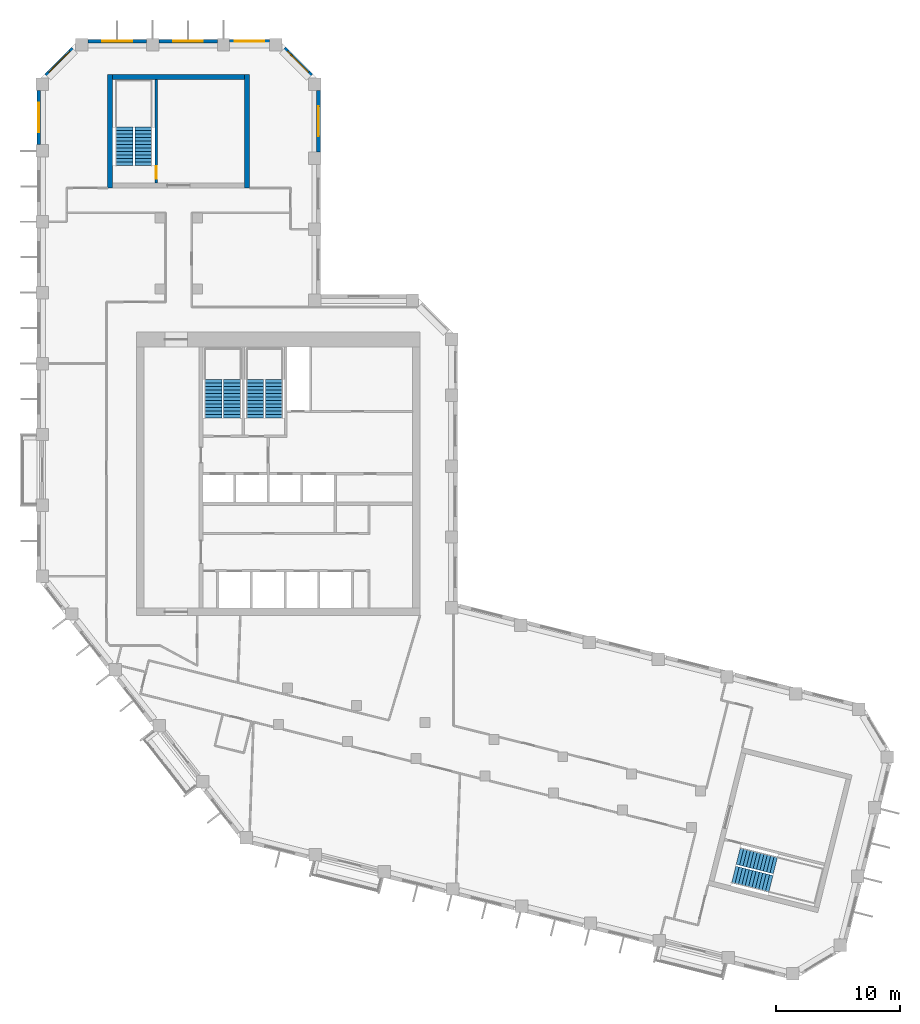
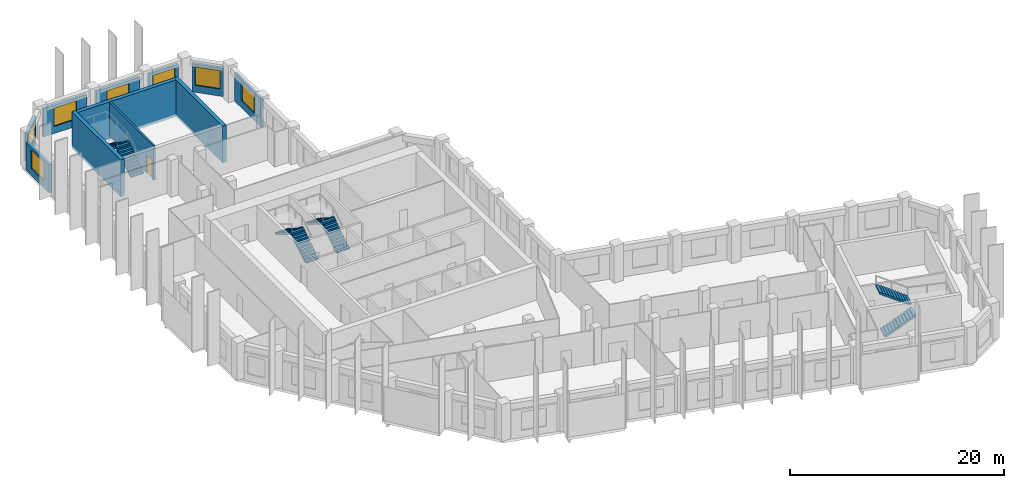
# One storey, part 8 of 9: 11 walls, 8 stair flights, 7 windows, 1 door, 8 openings, 4 elements without a shape of their own.
"""IFC4 building model written with IfcOpenShell, lengths in metres."""

from ifc_helpers import new_model, si_unit, direction, frame, frame_2d, origin, place, context, subcontext, project, spatial, polyline, rectangle, outline, extrude, material, layer, layer_set, type_object, element, fill, aggregate, save


model = new_model("IFC4")

# Units and contexts
model_context = context("Model", 3, precision=1e-05, world=origin(), true_north=direction((0.0, 1.0)))
body_context = subcontext(model_context, "Body", "Model", "MODEL_VIEW")
ifc_project = project(units=[si_unit("LENGTHUNIT", "METRE"), si_unit("AREAUNIT", "SQUARE_METRE"), si_unit("VOLUMEUNIT", "CUBIC_METRE"), si_unit("PLANEANGLEUNIT", "RADIAN"), si_unit("MASSUNIT", "GRAM", prefix="KILO")], contexts=[model_context])

# Site, building, storey
site_placement = place(None, origin())
site = spatial("IfcSite", under=ifc_project, at=site_placement, CompositionType="ELEMENT")
building_placement = place(site_placement, origin())
building = spatial("IfcBuilding", under=site, at=building_placement, Name="Meshkara Civic Tower", CompositionType="ELEMENT")
storey_placement = place(building_placement, frame((0.0, 0.0, 340.199951171875)))
storey = spatial("IfcBuildingStorey", under=building, at=storey_placement, Name="L78", CompositionType="ELEMENT", Elevation=340.199951171875)

# Wall, opening, window
ifc_material_1 = material(Name="Insulated infill panel with bronze anodised aluminium cladding", Category="aluminium")
ifc_layer_1 = layer(ifc_material_1, 0.300048828125)
ifc_layer_set_1 = layer_set([ifc_layer_1], Name="EXTERNAL INFILL WALL 300")
wall_type_1 = type_object("IfcWallType", Name="EXTERNAL INFILL WALL 300", PredefinedType="SOLIDWALL", material=ifc_layer_set_1)
wall_1_placement = place(storey_placement, frame((22.64990234375, 51.35009765625, 0.0), z_axis=(0.0, 0.0, 1.0), x_axis=(0.0, 1.0, 0.0)))
wall_1 = element("IfcWall", 1, at=wall_1_placement, inside=storey, type_object=wall_type_1, Name="External wall", PredefinedType="SOLIDWALL", context=body_context, shape_type="SweptSolid", body=[
    extrude(rectangle(XDim=4.9638671875, YDim=0.300048828125, at=frame_2d((2.48193359375, 0.0))), origin(), (0.0, 0.0, 1.0), 3.199951171875),
])
opening_1_placement = place(wall_1_placement, frame((1.281982421875, 0.0, 0.800048828125)))
opening_1 = element("IfcOpeningElement", 2, at=opening_1_placement, cuts=wall_1, Name="Opening W7", PredefinedType="OPENING", context=body_context, shape_type="SweptSolid", body=[
    extrude(rectangle(XDim=2.39990234375, YDim=2.10009765625, at=frame_2d((1.199951171875, 1.050048828125))), frame((0.0, 0.159912109375, 0.0), z_axis=(0.0, -1.0, 0.0), x_axis=(1.0, 0.0, 0.0)), (0.0, 0.0, 1.0), 0.320068359375),
])
ifc_material_2 = material(Name="Tinted double glazing", Category="glass")
window_type = type_object("IfcWindowType", Name="WINDOW 2400x2100", PartitioningType="DOUBLE_PANEL_VERTICAL", PredefinedType="WINDOW", material=ifc_material_2)
window_1_placement = place(opening_1_placement, origin())
window_1 = element("IfcWindow", 3, at=window_1_placement, inside=storey, type_object=window_type, Name="Window", OverallHeight=2.10009765625, OverallWidth=2.39990234375, PartitioningType="DOUBLE_PANEL_VERTICAL", PredefinedType="WINDOW", context=body_context, shape_type="SweptSolid", body=[
    extrude(rectangle(XDim=2.39990234375, YDim=2.10009765625, at=frame_2d((1.199951171875, 1.050048828125))), frame((0.0, 0.030029296875, 0.0), z_axis=(0.0, -1.0, 0.0), x_axis=(1.0, 0.0, 0.0)), (0.0, 0.0, 1.0), 0.06005859375),
])
fill(opening_1, window_1)

wall_2_placement = place(storey_placement, frame((22.06201171875, 57.52587890625, 0.0), z_axis=(0.0, 0.0, 1.0), x_axis=(-0.707106781187, 0.707106781187, 0.0)))
wall_2 = element("IfcWall", 4, at=wall_2_placement, inside=storey, type_object=wall_type_1, Name="External wall", PredefinedType="SOLIDWALL", context=body_context, shape_type="SweptSolid", body=[
    extrude(rectangle(XDim=3.049072265625, YDim=0.300048828125, at=frame_2d((1.5244140625, 0.0))), origin(), (0.0, 0.0, 1.0), 3.199951171875),
])
opening_2_placement = place(wall_2_placement, frame((0.324951171875, 0.0, 0.800048828125)))
opening_2 = element("IfcOpeningElement", 5, at=opening_2_placement, cuts=wall_2, Name="Opening W7", PredefinedType="OPENING", context=body_context, shape_type="SweptSolid", body=[
    extrude(rectangle(XDim=2.39990234375, YDim=2.10009765625, at=frame_2d((1.199951171875, 1.050048828125))), frame((0.0, 0.159912109375, 0.0), z_axis=(0.0, -1.0, 0.0), x_axis=(1.0, 0.0, 0.0)), (0.0, 0.0, 1.0), 0.320068359375),
])
window_2_placement = place(opening_2_placement, origin())
window_2 = element("IfcWindow", 6, at=window_2_placement, inside=storey, type_object=window_type, Name="Window", OverallHeight=2.10009765625, OverallWidth=2.39990234375, PartitioningType="DOUBLE_PANEL_VERTICAL", PredefinedType="WINDOW", context=body_context, shape_type="SweptSolid", body=[
    extrude(rectangle(XDim=2.39990234375, YDim=2.10009765625, at=frame_2d((1.199951171875, 1.050048828125))), frame((0.0, 0.030029296875, 0.0), z_axis=(0.0, -1.0, 0.0), x_axis=(1.0, 0.0, 0.0)), (0.0, 0.0, 1.0), 0.06005859375),
])
fill(opening_2, window_2)

wall_3_placement = place(storey_placement, frame((18.694091796875, 60.27001953125, 0.0), z_axis=(0.0, 0.0, 1.0), x_axis=(-1.0, 0.0, 0.0)))
wall_3 = element("IfcWall", 7, at=wall_3_placement, inside=storey, type_object=wall_type_1, Name="External wall", PredefinedType="SOLIDWALL", context=body_context, shape_type="SweptSolid", body=[
    extrude(rectangle(XDim=3.18798828125, YDim=0.300048828125, at=frame_2d((1.593994140625, 0.0))), origin(), (0.0, 0.0, 1.0), 3.199951171875),
])
opening_3_placement = place(wall_3_placement, frame((0.39404296875, 0.0, 0.800048828125)))
opening_3 = element("IfcOpeningElement", 8, at=opening_3_placement, cuts=wall_3, Name="Opening W7", PredefinedType="OPENING", context=body_context, shape_type="SweptSolid", body=[
    extrude(rectangle(XDim=2.39990234375, YDim=2.10009765625, at=frame_2d((1.199951171875, 1.050048828125))), frame((0.0, 0.159912109375, 0.0), z_axis=(0.0, -1.0, 0.0), x_axis=(1.0, 0.0, 0.0)), (0.0, 0.0, 1.0), 0.320068359375),
])
window_3_placement = place(opening_3_placement, origin())
window_3 = element("IfcWindow", 9, at=window_3_placement, inside=storey, type_object=window_type, Name="Window", OverallHeight=2.10009765625, OverallWidth=2.39990234375, PartitioningType="DOUBLE_PANEL_VERTICAL", PredefinedType="WINDOW", context=body_context, shape_type="SweptSolid", body=[
    extrude(rectangle(XDim=2.39990234375, YDim=2.10009765625, at=frame_2d((1.199951171875, 1.050048828125))), frame((0.0, 0.030029296875, 0.0), z_axis=(0.0, -1.0, 0.0), x_axis=(1.0, 0.0, 0.0)), (0.0, 0.0, 1.0), 0.06005859375),
])
fill(opening_3, window_3)

wall_4_placement = place(storey_placement, frame((14.506103515625, 60.27001953125, 0.0), z_axis=(0.0, 0.0, 1.0), x_axis=(-1.0, 0.0, 0.0)))
wall_4 = element("IfcWall", 10, at=wall_4_placement, inside=storey, type_object=wall_type_1, Name="External wall", PredefinedType="SOLIDWALL", context=body_context, shape_type="SweptSolid", body=[
    extrude(rectangle(XDim=4.7001953125, YDim=0.300048828125, at=frame_2d((2.35009765625, 0.0))), origin(), (0.0, 0.0, 1.0), 3.199951171875),
])
opening_4_placement = place(wall_4_placement, frame((1.14990234375, 0.0, 0.800048828125)))
opening_4 = element("IfcOpeningElement", 11, at=opening_4_placement, cuts=wall_4, Name="Opening W7", PredefinedType="OPENING", context=body_context, shape_type="SweptSolid", body=[
    extrude(rectangle(XDim=2.39990234375, YDim=2.10009765625, at=frame_2d((1.199951171875, 1.050048828125))), frame((0.0, 0.159912109375, 0.0), z_axis=(0.0, -1.0, 0.0), x_axis=(1.0, 0.0, 0.0)), (0.0, 0.0, 1.0), 0.320068359375),
])
window_4_placement = place(opening_4_placement, origin())
window_4 = element("IfcWindow", 12, at=window_4_placement, inside=storey, type_object=window_type, Name="Window", OverallHeight=2.10009765625, OverallWidth=2.39990234375, PartitioningType="DOUBLE_PANEL_VERTICAL", PredefinedType="WINDOW", context=body_context, shape_type="SweptSolid", body=[
    extrude(rectangle(XDim=2.39990234375, YDim=2.10009765625, at=frame_2d((1.199951171875, 1.050048828125))), frame((0.0, 0.030029296875, 0.0), z_axis=(0.0, -1.0, 0.0), x_axis=(1.0, 0.0, 0.0)), (0.0, 0.0, 1.0), 0.06005859375),
])
fill(opening_4, window_4)

wall_5_placement = place(storey_placement, frame((8.805908203125, 60.27001953125, 0.0), z_axis=(0.0, 0.0, 1.0), x_axis=(-1.0, 0.0, 0.0)))
wall_5 = element("IfcWall", 13, at=wall_5_placement, inside=storey, type_object=wall_type_1, Name="External wall", PredefinedType="SOLIDWALL", context=body_context, shape_type="SweptSolid", body=[
    extrude(rectangle(XDim=4.699951171875, YDim=0.300048828125, at=frame_2d((2.35009765625, 0.0))), origin(), (0.0, 0.0, 1.0), 3.199951171875),
])
opening_5_placement = place(wall_5_placement, frame((1.14990234375, 0.0, 0.800048828125)))
opening_5 = element("IfcOpeningElement", 14, at=opening_5_placement, cuts=wall_5, Name="Opening W7", PredefinedType="OPENING", context=body_context, shape_type="SweptSolid", body=[
    extrude(rectangle(XDim=2.39990234375, YDim=2.10009765625, at=frame_2d((1.199951171875, 1.050048828125))), frame((0.0, 0.159912109375, 0.0), z_axis=(0.0, -1.0, 0.0), x_axis=(1.0, 0.0, 0.0)), (0.0, 0.0, 1.0), 0.320068359375),
])
window_5_placement = place(opening_5_placement, origin())
window_5 = element("IfcWindow", 15, at=window_5_placement, inside=storey, type_object=window_type, Name="Window", OverallHeight=2.10009765625, OverallWidth=2.39990234375, PartitioningType="DOUBLE_PANEL_VERTICAL", PredefinedType="WINDOW", context=body_context, shape_type="SweptSolid", body=[
    extrude(rectangle(XDim=2.39990234375, YDim=2.10009765625, at=frame_2d((1.199951171875, 1.050048828125))), frame((0.0, 0.030029296875, 0.0), z_axis=(0.0, -1.0, 0.0), x_axis=(1.0, 0.0, 0.0)), (0.0, 0.0, 1.0), 0.06005859375),
])
fill(opening_5, window_5)

wall_6_placement = place(storey_placement, frame((2.89404296875, 59.681884765625, 0.0), z_axis=(0.0, 0.0, 1.0), x_axis=(-0.707106781187, -0.707106781187, 0.0)))
wall_6 = element("IfcWall", 16, at=wall_6_placement, inside=storey, type_object=wall_type_1, Name="External wall", PredefinedType="SOLIDWALL", context=body_context, shape_type="SweptSolid", body=[
    extrude(rectangle(XDim=3.049072265625, YDim=0.300048828125, at=frame_2d((1.5244140625, 0.0))), origin(), (0.0, 0.0, 1.0), 3.199951171875),
])
opening_6_placement = place(wall_6_placement, frame((0.324951171875, 0.0, 0.800048828125)))
opening_6 = element("IfcOpeningElement", 17, at=opening_6_placement, cuts=wall_6, Name="Opening W7", PredefinedType="OPENING", context=body_context, shape_type="SweptSolid", body=[
    extrude(rectangle(XDim=2.39990234375, YDim=2.10009765625, at=frame_2d((1.199951171875, 1.050048828125))), frame((0.0, 0.159912109375, 0.0), z_axis=(0.0, -1.0, 0.0), x_axis=(1.0, 0.0, 0.0)), (0.0, 0.0, 1.0), 0.320068359375),
])
window_6_placement = place(opening_6_placement, origin())
window_6 = element("IfcWindow", 18, at=window_6_placement, inside=storey, type_object=window_type, Name="Window", OverallHeight=2.10009765625, OverallWidth=2.39990234375, PartitioningType="DOUBLE_PANEL_VERTICAL", PredefinedType="WINDOW", context=body_context, shape_type="SweptSolid", body=[
    extrude(rectangle(XDim=2.39990234375, YDim=2.10009765625, at=frame_2d((1.199951171875, 1.050048828125))), frame((0.0, 0.030029296875, 0.0), z_axis=(0.0, -1.0, 0.0), x_axis=(1.0, 0.0, 0.0)), (0.0, 0.0, 1.0), 0.06005859375),
])
fill(opening_6, window_6)

wall_7_placement = place(storey_placement, frame((0.14990234375, 56.31396484375, 0.0), z_axis=(0.0, 0.0, 1.0), x_axis=(0.0, -1.0, 0.0)))
wall_7 = element("IfcWall", 19, at=wall_7_placement, inside=storey, type_object=wall_type_1, Name="External wall", PredefinedType="SOLIDWALL", context=body_context, shape_type="SweptSolid", body=[
    extrude(rectangle(XDim=4.35888671875, YDim=0.300048828125, at=frame_2d((2.179443359375, 0.0))), origin(), (0.0, 0.0, 1.0), 3.199951171875),
])
opening_7_placement = place(wall_7_placement, frame((0.97998046875, 0.0, 0.800048828125)))
opening_7 = element("IfcOpeningElement", 20, at=opening_7_placement, cuts=wall_7, Name="Opening W7", PredefinedType="OPENING", context=body_context, shape_type="SweptSolid", body=[
    extrude(rectangle(XDim=2.39990234375, YDim=2.10009765625, at=frame_2d((1.199951171875, 1.050048828125))), frame((0.0, 0.159912109375, 0.0), z_axis=(0.0, -1.0, 0.0), x_axis=(1.0, 0.0, 0.0)), (0.0, 0.0, 1.0), 0.320068359375),
])
window_7_placement = place(opening_7_placement, origin())
window_7 = element("IfcWindow", 21, at=window_7_placement, inside=storey, type_object=window_type, Name="Window", OverallHeight=2.10009765625, OverallWidth=2.39990234375, PartitioningType="DOUBLE_PANEL_VERTICAL", PredefinedType="WINDOW", context=body_context, shape_type="SweptSolid", body=[
    extrude(rectangle(XDim=2.39990234375, YDim=2.10009765625, at=frame_2d((1.199951171875, 1.050048828125))), frame((0.0, 0.030029296875, 0.0), z_axis=(0.0, -1.0, 0.0), x_axis=(1.0, 0.0, 0.0)), (0.0, 0.0, 1.0), 0.06005859375),
])
fill(opening_7, window_7)

# Walls
ifc_material_3 = material(Name="Concrete C60", Category="concrete")
ifc_layer_2 = layer(ifc_material_3, 0.39990234375)
ifc_layer_set_2 = layer_set([ifc_layer_2], Name="End core ring wall 400 C60")
wall_type_2 = type_object("IfcWallType", Name="End core ring wall 400 C60", PredefinedType="SHEAR", material=ifc_layer_set_2)
for number, where, z_axis, x_axis, name in (
    (22, (5.89990234375, 48.469970703125, -0.300048828125), (0.0, 0.0, 1.0), (0.0, 1.0, 0.0), "L78-C026"),
    (23, (16.89990234375, 48.469970703125, -0.300048828125), (0.0, 0.0, 1.0), (0.0, 1.0, 0.0), "L78-C027"),
):
    element("IfcWall", number, at=place(storey_placement, frame(where, z_axis=z_axis, x_axis=x_axis)), inside=storey, type_object=wall_type_2, Name=name, PredefinedType="SHEAR", context=body_context, shape_type="SweptSolid", body=[
        extrude(rectangle(XDim=9.10009765625, YDim=0.39990234375, at=frame_2d((4.550048828125, 0.0))), origin(), (0.0, 0.0, 1.0), 4.2001953125),
    ])
wall_8_placement = place(storey_placement, frame((6.10009765625, 57.3701171875, -0.300048828125), z_axis=(0.0, 0.0, 1.0), x_axis=(1.0, 0.0, 0.0)))
element("IfcWall", 24, at=wall_8_placement, inside=storey, type_object=wall_type_2, Name="L78-C029", PredefinedType="SHEAR", context=body_context, shape_type="SweptSolid", body=[
    extrude(rectangle(XDim=10.599853515625, YDim=0.39990234375, at=frame_2d((5.2998046875, 0.0))), origin(), (0.0, 0.0, 1.0), 4.2001953125),
])

# Wall, opening, door
ifc_material_4 = material(Name="Concrete C40/50", Category="concrete")
ifc_layer_3 = layer(ifc_material_4, 0.199951171875)
ifc_layer_set_3 = layer_set([ifc_layer_3], Name="Stair enclosure wall 200 C40/50")
wall_type_3 = type_object("IfcWallType", Name="Stair enclosure wall 200 C40/50", PredefinedType="SOLIDWALL", material=ifc_layer_set_3)
wall_9_placement = place(storey_placement, frame((9.60009765625, 48.8701171875, 0.0), z_axis=(0.0, 0.0, 1.0), x_axis=(0.0, 1.0, 0.0)))
wall_9 = element("IfcWall", 25, at=wall_9_placement, inside=storey, type_object=wall_type_3, Name="L78-C030", PredefinedType="SOLIDWALL", context=body_context, shape_type="SweptSolid", body=[
    extrude(rectangle(XDim=8.2998046875, YDim=0.199951171875, at=frame_2d((4.14990234375, 0.0))), origin(), (0.0, 0.0, 1.0), 3.900146484375),
])
opening_8_placement = place(wall_9_placement, frame((0.35009765625, 0.0, 0.0)))
opening_8 = element("IfcOpeningElement", 26, at=opening_8_placement, cuts=wall_9, Name="Opening L78-K101", PredefinedType="OPENING", context=body_context, shape_type="SweptSolid", body=[
    extrude(rectangle(XDim=1.0, YDim=2.10009765625, at=frame_2d((0.5, 1.050048828125))), frame((0.0, 0.10986328125, 0.0), z_axis=(0.0, -1.0, 0.0), x_axis=(1.0, 0.0, 0.0)), (0.0, 0.0, 1.0), 0.219970703125),
])
ifc_material_5 = material(Name="Fire-rated door leaf in steel frame", Category="steel")
door_type = type_object("IfcDoorType", Name="Stair door 1000 EI 120", OperationType="SINGLE_SWING_LEFT", PredefinedType="DOOR", material=ifc_material_5)
door_placement = place(opening_8_placement, origin())
door = element("IfcDoor", 27, at=door_placement, inside=storey, type_object=door_type, Name="L78-K101", OperationType="SINGLE_SWING_RIGHT", OverallHeight=2.10009765625, OverallWidth=1.0, PredefinedType="DOOR", context=body_context, shape_type="SweptSolid", body=[
    extrude(rectangle(XDim=1.0, YDim=2.10009765625, at=frame_2d((0.5, 1.050048828125))), frame((0.0, 0.02490234375, 0.0), z_axis=(0.0, -1.0, 0.0), x_axis=(1.0, 0.0, 0.0)), (0.0, 0.0, 1.0), 0.050048828125),
])
fill(opening_8, door)

# Stair, stair flights
ifc_material_6 = material(Name="Precast concrete C40/50", Category="concrete")
stair_type = type_object("IfcStairType", Name="Exit stair half-turn 24 risers precast", PredefinedType="HALF_TURN_STAIR", material=ifc_material_6)
stair_1_placement = place(storey_placement, origin())
stair_1 = element("IfcStair", 28, at=stair_1_placement, inside=storey, type_object=stair_type, Name="L78 exit stair 1", PredefinedType="HALF_TURN_STAIR")
ifc_material_7 = material(Name="Precast concrete C40/50", Category="concrete")
stair_flight_type = type_object("IfcStairFlightType", Name="Exit stair flight 12 risers precast", PredefinedType="STRAIGHT", material=ifc_material_7)
stair_flight_1_placement = place(storey_placement, frame((15.72509765625, 30.0, 0.0), z_axis=(0.0, 0.0, 1.0), x_axis=(0.0, 1.0, 0.0)))
stair_flight_1 = element("IfcStairFlight", 29, at=stair_flight_1_placement, type_object=stair_flight_type, Name="ST1 flight 1", NumberOfRisers=12, NumberOfTreads=11, PredefinedType="STRAIGHT", RiserHeight=0.175, TreadLength=0.28, context=body_context, shape_type="SweptSolid", body=[
    extrude(outline(polyline([(0.0, 0.0), (0.0, 0.175048828125), (0.280029296875, 0.175048828125), (0.280029296875, 0.35009765625), (0.56005859375, 0.35009765625), (0.56005859375, 0.52490234375), (0.840087890625, 0.52490234375), (0.840087890625, 0.699951171875), (1.1201171875, 0.699951171875), (1.1201171875, 0.875), (1.39990234375, 0.875), (1.39990234375, 1.050048828125), (1.679931640625, 1.050048828125), (1.679931640625, 1.22509765625), (1.9599609375, 1.22509765625), (1.9599609375, 1.39990234375), (2.239990234375, 1.39990234375), (2.239990234375, 1.574951171875), (2.52001953125, 1.574951171875), (2.52001953125, 1.75), (2.800048828125, 1.75), (2.800048828125, 1.925048828125), (3.080078125, 1.925048828125), (3.080078125, 2.10009765625), (3.080078125, 1.748291015625), (0.28271484375, 0.0), (0.0, 0.0)])), frame((0.0, 0.699951171875, 0.0), z_axis=(0.0, -1.0, 0.0), x_axis=(1.0, 0.0, 0.0)), (0.0, 0.0, 1.0), 1.39990234375),
])
stair_flight_2_placement = place(storey_placement, frame((14.175048828125, 33.080078125, 2.10009765625), z_axis=(0.0, 0.0, 1.0), x_axis=(0.0, -1.0, 0.0)))
stair_flight_2 = element("IfcStairFlight", 30, at=stair_flight_2_placement, type_object=stair_flight_type, Name="ST1 flight 2", NumberOfRisers=12, NumberOfTreads=11, PredefinedType="STRAIGHT", RiserHeight=0.175, TreadLength=0.28, context=body_context, shape_type="SweptSolid", body=[
    extrude(outline(polyline([(0.0, 0.0), (0.0, 0.175048828125), (0.280029296875, 0.175048828125), (0.280029296875, 0.35009765625), (0.56005859375, 0.35009765625), (0.56005859375, 0.52490234375), (0.840087890625, 0.52490234375), (0.840087890625, 0.699951171875), (1.1201171875, 0.699951171875), (1.1201171875, 0.875), (1.39990234375, 0.875), (1.39990234375, 1.050048828125), (1.679931640625, 1.050048828125), (1.679931640625, 1.22509765625), (1.9599609375, 1.22509765625), (1.9599609375, 1.39990234375), (2.239990234375, 1.39990234375), (2.239990234375, 1.574951171875), (2.52001953125, 1.574951171875), (2.52001953125, 1.75), (2.800048828125, 1.75), (2.800048828125, 1.925048828125), (3.080078125, 1.925048828125), (3.080078125, 2.10009765625), (3.080078125, 1.748291015625), (0.28271484375, 0.0), (0.0, 0.0)])), frame((0.0, 0.699951171875, 0.0), z_axis=(0.0, -1.0, 0.0), x_axis=(1.0, 0.0, 0.0)), (0.0, 0.0, 1.0), 1.39990234375),
])
aggregate(stair_1, [stair_flight_1, stair_flight_2])

stair_2_placement = place(storey_placement, origin())
stair_2 = element("IfcStair", 31, at=stair_2_placement, inside=storey, type_object=stair_type, Name="L78 exit stair 2", PredefinedType="HALF_TURN_STAIR")
stair_flight_3_placement = place(storey_placement, frame((19.074951171875, 30.0, 0.0), z_axis=(0.0, 0.0, 1.0), x_axis=(0.0, 1.0, 0.0)))
stair_flight_3 = element("IfcStairFlight", 32, at=stair_flight_3_placement, type_object=stair_flight_type, Name="ST2 flight 1", NumberOfRisers=12, NumberOfTreads=11, PredefinedType="STRAIGHT", RiserHeight=0.175, TreadLength=0.28, context=body_context, shape_type="SweptSolid", body=[
    extrude(outline(polyline([(0.0, 0.0), (0.0, 0.175048828125), (0.280029296875, 0.175048828125), (0.280029296875, 0.35009765625), (0.56005859375, 0.35009765625), (0.56005859375, 0.52490234375), (0.840087890625, 0.52490234375), (0.840087890625, 0.699951171875), (1.1201171875, 0.699951171875), (1.1201171875, 0.875), (1.39990234375, 0.875), (1.39990234375, 1.050048828125), (1.679931640625, 1.050048828125), (1.679931640625, 1.22509765625), (1.9599609375, 1.22509765625), (1.9599609375, 1.39990234375), (2.239990234375, 1.39990234375), (2.239990234375, 1.574951171875), (2.52001953125, 1.574951171875), (2.52001953125, 1.75), (2.800048828125, 1.75), (2.800048828125, 1.925048828125), (3.080078125, 1.925048828125), (3.080078125, 2.10009765625), (3.080078125, 1.748291015625), (0.28271484375, 0.0), (0.0, 0.0)])), frame((0.0, 0.699951171875, 0.0), z_axis=(0.0, -1.0, 0.0), x_axis=(1.0, 0.0, 0.0)), (0.0, 0.0, 1.0), 1.39990234375),
])
stair_flight_4_placement = place(storey_placement, frame((17.52490234375, 33.080078125, 2.10009765625), z_axis=(0.0, 0.0, 1.0), x_axis=(0.0, -1.0, 0.0)))
stair_flight_4 = element("IfcStairFlight", 33, at=stair_flight_4_placement, type_object=stair_flight_type, Name="ST2 flight 2", NumberOfRisers=12, NumberOfTreads=11, PredefinedType="STRAIGHT", RiserHeight=0.175, TreadLength=0.28, context=body_context, shape_type="SweptSolid", body=[
    extrude(outline(polyline([(0.0, 0.0), (0.0, 0.175048828125), (0.280029296875, 0.175048828125), (0.280029296875, 0.35009765625), (0.56005859375, 0.35009765625), (0.56005859375, 0.52490234375), (0.840087890625, 0.52490234375), (0.840087890625, 0.699951171875), (1.1201171875, 0.699951171875), (1.1201171875, 0.875), (1.39990234375, 0.875), (1.39990234375, 1.050048828125), (1.679931640625, 1.050048828125), (1.679931640625, 1.22509765625), (1.9599609375, 1.22509765625), (1.9599609375, 1.39990234375), (2.239990234375, 1.39990234375), (2.239990234375, 1.574951171875), (2.52001953125, 1.574951171875), (2.52001953125, 1.75), (2.800048828125, 1.75), (2.800048828125, 1.925048828125), (3.080078125, 1.925048828125), (3.080078125, 2.10009765625), (3.080078125, 1.748291015625), (0.28271484375, 0.0), (0.0, 0.0)])), frame((0.0, 0.699951171875, 0.0), z_axis=(0.0, -1.0, 0.0), x_axis=(1.0, 0.0, 0.0)), (0.0, 0.0, 1.0), 1.39990234375),
])
aggregate(stair_2, [stair_flight_3, stair_flight_4])

stair_3_placement = place(storey_placement, origin())
stair_3 = element("IfcStair", 34, at=stair_3_placement, inside=storey, type_object=stair_type, Name="L78 exit stair A from L65", PredefinedType="HALF_TURN_STAIR")
stair_flight_5_placement = place(storey_placement, frame((8.574951171875, 50.27001953125, 0.0), z_axis=(0.0, 0.0, 1.0), x_axis=(0.0, 1.0, 0.0)))
stair_flight_5 = element("IfcStairFlight", 35, at=stair_flight_5_placement, type_object=stair_flight_type, Name="ESA5 flight 1", NumberOfRisers=12, NumberOfTreads=11, PredefinedType="STRAIGHT", RiserHeight=0.175, TreadLength=0.28, context=body_context, shape_type="SweptSolid", body=[
    extrude(outline(polyline([(0.0, 0.0), (0.0, 0.175048828125), (0.280029296875, 0.175048828125), (0.280029296875, 0.35009765625), (0.56005859375, 0.35009765625), (0.56005859375, 0.52490234375), (0.840087890625, 0.52490234375), (0.840087890625, 0.699951171875), (1.1201171875, 0.699951171875), (1.1201171875, 0.875), (1.39990234375, 0.875), (1.39990234375, 1.050048828125), (1.679931640625, 1.050048828125), (1.679931640625, 1.22509765625), (1.9599609375, 1.22509765625), (1.9599609375, 1.39990234375), (2.239990234375, 1.39990234375), (2.239990234375, 1.574951171875), (2.52001953125, 1.574951171875), (2.52001953125, 1.75), (2.800048828125, 1.75), (2.800048828125, 1.925048828125), (3.080078125, 1.925048828125), (3.080078125, 2.10009765625), (3.080078125, 1.748291015625), (0.28271484375, 0.0), (0.0, 0.0)])), frame((0.0, 0.699951171875, 0.0), z_axis=(0.0, -1.0, 0.0), x_axis=(1.0, 0.0, 0.0)), (0.0, 0.0, 1.0), 1.39990234375),
])
stair_flight_6_placement = place(storey_placement, frame((7.02490234375, 53.35009765625, 2.10009765625), z_axis=(0.0, 0.0, 1.0), x_axis=(0.0, -1.0, 0.0)))
stair_flight_6 = element("IfcStairFlight", 36, at=stair_flight_6_placement, type_object=stair_flight_type, Name="ESA5 flight 2", NumberOfRisers=12, NumberOfTreads=11, PredefinedType="STRAIGHT", RiserHeight=0.175, TreadLength=0.28, context=body_context, shape_type="SweptSolid", body=[
    extrude(outline(polyline([(0.0, 0.0), (0.0, 0.175048828125), (0.280029296875, 0.175048828125), (0.280029296875, 0.35009765625), (0.56005859375, 0.35009765625), (0.56005859375, 0.52490234375), (0.840087890625, 0.52490234375), (0.840087890625, 0.699951171875), (1.1201171875, 0.699951171875), (1.1201171875, 0.875), (1.39990234375, 0.875), (1.39990234375, 1.050048828125), (1.679931640625, 1.050048828125), (1.679931640625, 1.22509765625), (1.9599609375, 1.22509765625), (1.9599609375, 1.39990234375), (2.239990234375, 1.39990234375), (2.239990234375, 1.574951171875), (2.52001953125, 1.574951171875), (2.52001953125, 1.75), (2.800048828125, 1.75), (2.800048828125, 1.925048828125), (3.080078125, 1.925048828125), (3.080078125, 2.10009765625), (3.080078125, 1.748291015625), (0.28271484375, 0.0), (0.0, 0.0)])), frame((0.0, 0.699951171875, 0.0), z_axis=(0.0, -1.0, 0.0), x_axis=(1.0, 0.0, 0.0)), (0.0, 0.0, 1.0), 1.39990234375),
])
aggregate(stair_3, [stair_flight_5, stair_flight_6])

stair_4_placement = place(storey_placement, origin())
stair_4 = element("IfcStair", 37, at=stair_4_placement, inside=storey, type_object=stair_type, Name="L78 exit stair B from L65", PredefinedType="HALF_TURN_STAIR")
stair_flight_7_placement = place(storey_placement, frame((56.0068359375, -6.723876953125, 0.0), z_axis=(0.0, 0.0, 1.0), x_axis=(0.970260066579, -0.242064873955, 0.0)))
stair_flight_7 = element("IfcStairFlight", 38, at=stair_flight_7_placement, type_object=stair_flight_type, Name="ESB5 flight 1", NumberOfRisers=12, NumberOfTreads=11, PredefinedType="STRAIGHT", RiserHeight=0.175, TreadLength=0.28, context=body_context, shape_type="SweptSolid", body=[
    extrude(outline(polyline([(0.0, 0.0), (0.0, 0.175048828125), (0.280029296875, 0.175048828125), (0.280029296875, 0.35009765625), (0.56005859375, 0.35009765625), (0.56005859375, 0.52490234375), (0.840087890625, 0.52490234375), (0.840087890625, 0.699951171875), (1.1201171875, 0.699951171875), (1.1201171875, 0.875), (1.39990234375, 0.875), (1.39990234375, 1.050048828125), (1.679931640625, 1.050048828125), (1.679931640625, 1.22509765625), (1.9599609375, 1.22509765625), (1.9599609375, 1.39990234375), (2.239990234375, 1.39990234375), (2.239990234375, 1.574951171875), (2.52001953125, 1.574951171875), (2.52001953125, 1.75), (2.800048828125, 1.75), (2.800048828125, 1.925048828125), (3.080078125, 1.925048828125), (3.080078125, 2.10009765625), (3.080078125, 1.748291015625), (0.28271484375, 0.0), (0.0, 0.0)])), frame((0.0, 0.699951171875, 0.0), z_axis=(0.0, -1.0, 0.0), x_axis=(1.0, 0.0, 0.0)), (0.0, 0.0, 1.0), 1.39990234375),
])
stair_flight_8_placement = place(storey_placement, frame((59.370361328125, -5.965576171875, 2.10009765625), z_axis=(0.0, 0.0, 1.0), x_axis=(-0.970260066579, 0.242064873955, 0.0)))
stair_flight_8 = element("IfcStairFlight", 39, at=stair_flight_8_placement, type_object=stair_flight_type, Name="ESB5 flight 2", NumberOfRisers=12, NumberOfTreads=11, PredefinedType="STRAIGHT", RiserHeight=0.175, TreadLength=0.28, context=body_context, shape_type="SweptSolid", body=[
    extrude(outline(polyline([(0.0, 0.0), (0.0, 0.175048828125), (0.280029296875, 0.175048828125), (0.280029296875, 0.35009765625), (0.56005859375, 0.35009765625), (0.56005859375, 0.52490234375), (0.840087890625, 0.52490234375), (0.840087890625, 0.699951171875), (1.1201171875, 0.699951171875), (1.1201171875, 0.875), (1.39990234375, 0.875), (1.39990234375, 1.050048828125), (1.679931640625, 1.050048828125), (1.679931640625, 1.22509765625), (1.9599609375, 1.22509765625), (1.9599609375, 1.39990234375), (2.239990234375, 1.39990234375), (2.239990234375, 1.574951171875), (2.52001953125, 1.574951171875), (2.52001953125, 1.75), (2.800048828125, 1.75), (2.800048828125, 1.925048828125), (3.080078125, 1.925048828125), (3.080078125, 2.10009765625), (3.080078125, 1.748291015625), (0.28271484375, 0.0), (0.0, 0.0)])), frame((0.0, 0.699951171875, 0.0), z_axis=(0.0, -1.0, 0.0), x_axis=(1.0, 0.0, 0.0)), (0.0, 0.0, 1.0), 1.39990234375),
])
aggregate(stair_4, [stair_flight_7, stair_flight_8])

save(model, "model.ifc")
